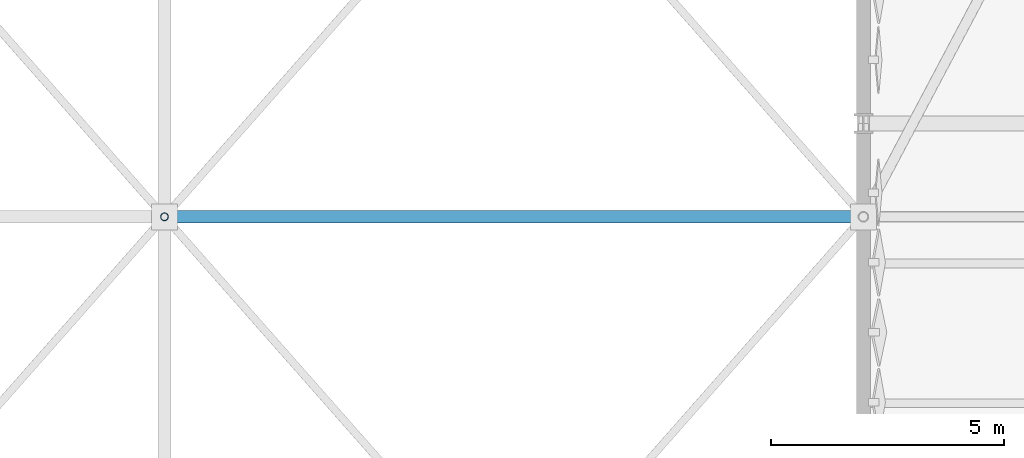
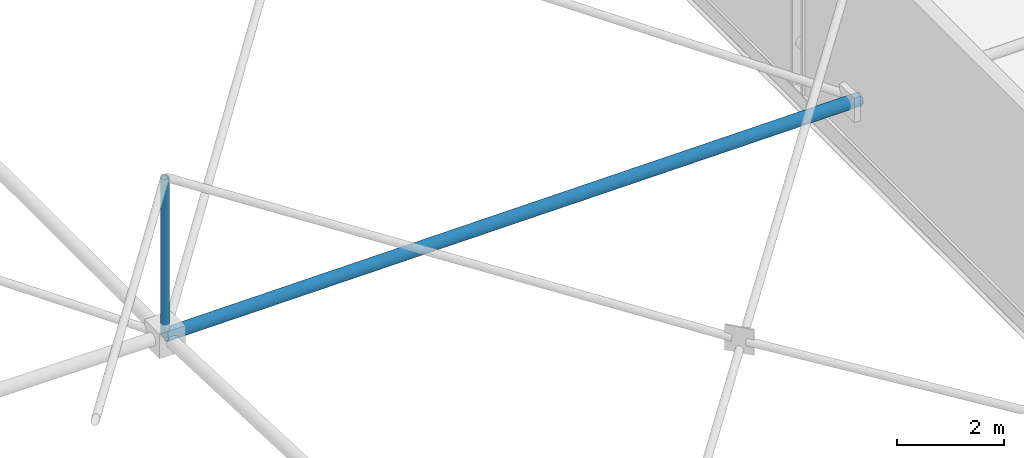
# One storey, part 65 of 224: 2 members.
"""IFC4 building model written with IfcOpenShell, lengths in metres."""

from ifc_helpers import new_model, si_unit, direction, frame, origin, origin_2d, place, context, subcontext, project, spatial, hollow_circle, extrude, material, material_profile, profile_set, type_object, element, save


model = new_model("IFC4")

# Units and contexts
model_context = context("Model", 3, precision=1e-05, world=origin(), true_north=direction((0.0, 1.0)))
body_context = subcontext(model_context, "Body", "Model", "MODEL_VIEW")
ifc_project = project(units=[si_unit("LENGTHUNIT", "METRE"), si_unit("AREAUNIT", "SQUARE_METRE"), si_unit("VOLUMEUNIT", "CUBIC_METRE"), si_unit("PLANEANGLEUNIT", "RADIAN"), si_unit("MASSUNIT", "GRAM", prefix="KILO")], contexts=[model_context])

# Site, building, storey
site_placement = place(None, origin())
site = spatial("IfcSite", under=ifc_project, at=site_placement, CompositionType="ELEMENT")
building_placement = place(site_placement, origin())
building = spatial("IfcBuilding", under=site, at=building_placement, Name="Qamarlyn Nura Convention Centre", CompositionType="ELEMENT")
storey_placement = place(building_placement, frame((0.0, 0.0, 10.800048828125)))
storey = spatial("IfcBuildingStorey", under=building, at=storey_placement, Name="L02", CompositionType="ELEMENT", Elevation=10.800048828125)

# Members
ifc_material = material(Name="Pearl-white PVDF steel ASTM A500 Grade C", Category="steel")
ifc_material_profile_1 = material_profile(ifc_material, hollow_circle(Radius=0.136474609375, WallThickness=0.012451171875, at=origin_2d()), Name="CHS273X12.5")
ifc_profile_set_1 = profile_set([ifc_material_profile_1], Name="Pearl-white PVDF steel ASTM A500 Grade C")
member_type_1 = type_object("IfcMemberType", Name="SF-BC-MAIN", PredefinedType="CHORD", material=ifc_profile_set_1)
member_1_placement = place(storey_placement, frame((105.0, 52.0, 0.80126953125), z_axis=(0.999958908574, 0.0, 0.009065382684), x_axis=(0.0, 1.0, 0.0)))
element("IfcMember", 1, at=member_1_placement, inside=storey, type_object=member_type_1, Name="ROOF TRUSS space frame bottom chord X9-4", PredefinedType="CHORD", context=body_context, shape_type="SweptSolid", body=[
    extrude(hollow_circle(Radius=0.136474609375, WallThickness=0.012451171875, at=origin_2d()), origin(), (0.0, 0.0, 1.0), 15.000732421875),
])
ifc_material_profile_2 = material_profile(ifc_material, hollow_circle(Radius=0.084228515625, WallThickness=0.008056640625, at=origin_2d()), Name="CHS168.3X8")
ifc_profile_set_2 = profile_set([ifc_material_profile_2], Name="Pearl-white PVDF steel ASTM A500 Grade C")
member_type_2 = type_object("IfcMemberType", Name="SF-WEB-STD", PredefinedType="BRACE", material=ifc_profile_set_2)
member_2_placement = place(storey_placement, frame((105.0, 52.0, 0.80126953125), z_axis=(0.0, 0.0, 1.0), x_axis=(1.0, 0.0, 0.0)))
element("IfcMember", 2, at=member_2_placement, inside=storey, type_object=member_type_2, Name="ROOF TRUSS space frame vertical 9-4", PredefinedType="BRACE", context=body_context, shape_type="SweptSolid", body=[
    extrude(hollow_circle(Radius=0.084228515625, WallThickness=0.008056640625, at=origin_2d()), origin(), (0.0, 0.0, 1.0), 3.60009765625),
])

save(model, "model.ifc")
